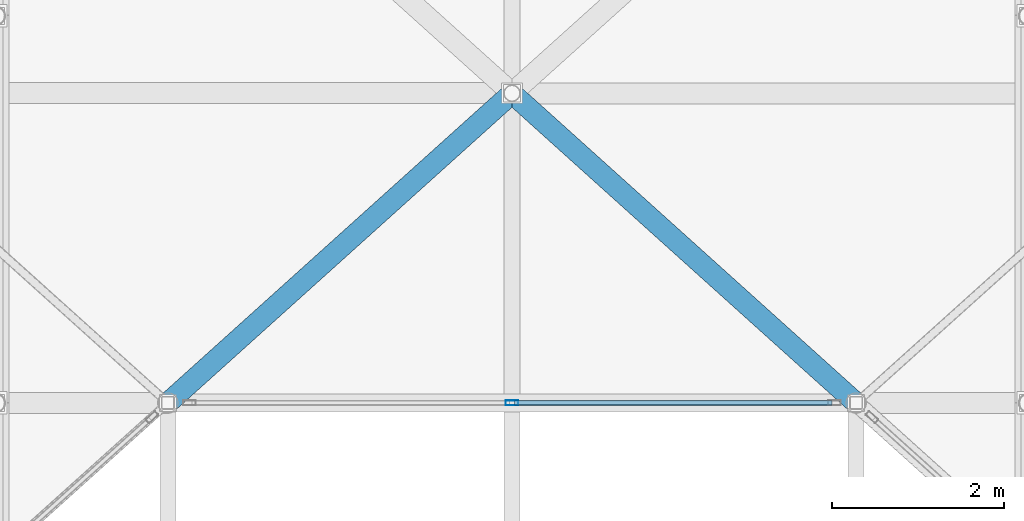
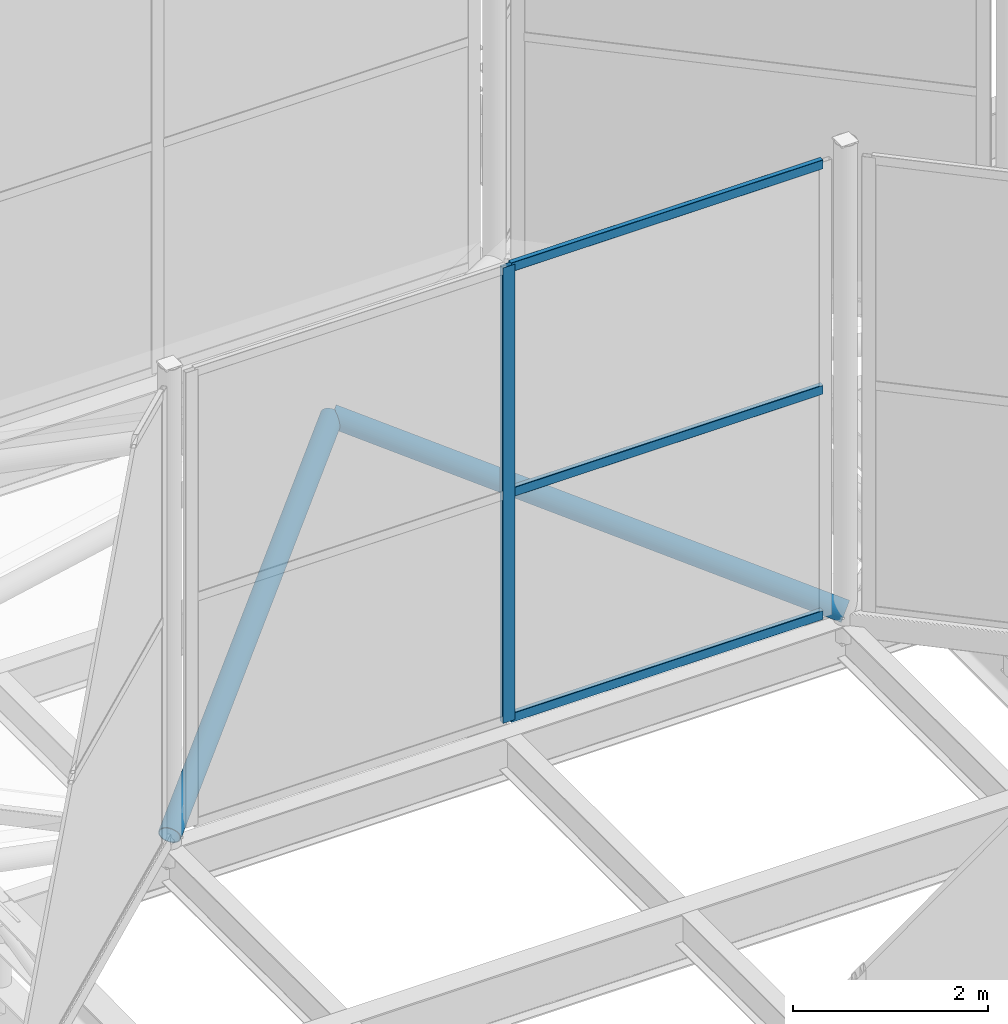
# One storey, part 64 of 239: 6 members, 1 element without a shape of its own.
"""IFC4 building model written with IfcOpenShell, lengths in metres."""

from ifc_helpers import new_model, si_unit, direction, frame, origin, origin_2d, place, context, subcontext, project, spatial, hollow_rectangle, hollow_circle, extrude, material, layer, layer_set, material_profile, profile_set, type_object, element, aggregate, save


model = new_model("IFC4")

# Units and contexts
model_context = context("Model", 3, precision=1e-05, world=origin(), true_north=direction((0.0, 1.0)))
body_context = subcontext(model_context, "Body", "Model", "MODEL_VIEW")
ifc_project = project(units=[si_unit("LENGTHUNIT", "METRE"), si_unit("AREAUNIT", "SQUARE_METRE"), si_unit("VOLUMEUNIT", "CUBIC_METRE"), si_unit("PLANEANGLEUNIT", "RADIAN"), si_unit("MASSUNIT", "GRAM", prefix="KILO")], contexts=[model_context])

# Site, building, storey
site_placement = place(None, origin())
site = spatial("IfcSite", under=ifc_project, at=site_placement, CompositionType="ELEMENT")
building_placement = place(site_placement, origin())
building = spatial("IfcBuilding", under=site, at=building_placement, Name="Dunvalen Ferry Terminal", CompositionType="ELEMENT")
storey_placement = place(building_placement, frame((0.0, 0.0, 9.840087890625)))
storey = spatial("IfcBuildingStorey", under=building, at=storey_placement, Name="L02", CompositionType="ELEMENT", Elevation=9.840087890625)

# Curtain wall, members
ifc_material_1 = material(Name="Anodised marine aluminium and solar-control glazing", Category="aluminium")
ifc_layer = layer(ifc_material_1, 0.179931640625, Name="Anodised marine aluminium and solar-control glazing")
ifc_layer_set = layer_set([ifc_layer], Name="Anodised marine aluminium and solar-control glazing")
curtain_wall_type = type_object("IfcCurtainWallType", Name="ENV-CW-SYS-05", PredefinedType="NOTDEFINED", material=ifc_layer_set)
curtain_wall_placement = place(storey_placement, origin())
curtain_wall = element("IfcCurtainWall", 1, at=curtain_wall_placement, inside=storey, type_object=curtain_wall_type, Name="L02 Curtain Wall CW-HEX-14-SK-5", PredefinedType="NOTDEFINED")
ifc_material_2 = material(Name="Anodised marine aluminium EN AW-6063 T6", Category="aluminium")
ifc_material_profile_1 = material_profile(ifc_material_2, hollow_rectangle(XDim=0.06005859375, YDim=0.14990234375, WallThickness=0.00341796875, InnerFilletRadius=0.00341796875, OuterFilletRadius=0.007080078125, at=origin_2d()), Name="Anodised marine aluminium EN AW-6063 T6")
ifc_profile_set_1 = profile_set([ifc_material_profile_1], Name="Anodised marine aluminium EN AW-6063 T6")
member_type_1 = type_object("IfcMemberType", Name="ENV-CW-MUL-3", PredefinedType="MULLION", material=ifc_profile_set_1)
member_1_placement = place(storey_placement, frame((30.0, 68.39990234375, 1.139892578125), z_axis=(0.0, 0.0, 1.0), x_axis=(0.0, -1.0, 0.0)))
member_1 = element("IfcMember", 2, at=member_1_placement, type_object=member_type_1, Name="CW-05 mullion 2", PredefinedType="MULLION", context=body_context, shape_type="SweptSolid", body=[
    extrude(hollow_rectangle(XDim=0.06005859375, YDim=0.14990234375, WallThickness=0.00341796875, InnerFilletRadius=0.00341796875, OuterFilletRadius=0.007080078125, at=origin_2d()), origin(), (0.0, 0.0, 1.0), 5.699951171875),
])
ifc_material_profile_2 = material_profile(ifc_material_2, hollow_rectangle(XDim=0.06005859375, YDim=0.114990234375, WallThickness=0.0029296875, InnerFilletRadius=0.0029296875, OuterFilletRadius=0.006103515625, at=origin_2d()), Name="Anodised marine aluminium EN AW-6063 T6")
ifc_profile_set_2 = profile_set([ifc_material_profile_2], Name="Anodised marine aluminium EN AW-6063 T6")
member_type_2 = type_object("IfcMemberType", Name="ENV-CW-TRN-3", PredefinedType="USERDEFINED", material=ifc_profile_set_2)
member_2_placement = place(storey_placement, frame((33.719970703125, 68.39990234375, 1.169921875), z_axis=(-1.0, 0.0, 0.0), x_axis=(0.0, -1.0, 0.0)))
member_2 = element("IfcMember", 3, at=member_2_placement, type_object=member_type_2, Name="CW-05 transom 1.1", ObjectType="TRANSOM", PredefinedType="USERDEFINED", context=body_context, shape_type="SweptSolid", body=[
    extrude(hollow_rectangle(XDim=0.06005859375, YDim=0.114990234375, WallThickness=0.0029296875, InnerFilletRadius=0.0029296875, OuterFilletRadius=0.006103515625, at=origin_2d()), origin(), (0.0, 0.0, 1.0), 3.68994140625),
])
member_3_placement = place(storey_placement, frame((33.719970703125, 68.39990234375, 3.989990234375), z_axis=(-1.0, 0.0, 0.0), x_axis=(0.0, -1.0, 0.0)))
member_3 = element("IfcMember", 4, at=member_3_placement, type_object=member_type_2, Name="CW-05 transom 1.2", ObjectType="TRANSOM", PredefinedType="USERDEFINED", context=body_context, shape_type="SweptSolid", body=[
    extrude(hollow_rectangle(XDim=0.06005859375, YDim=0.114990234375, WallThickness=0.0029296875, InnerFilletRadius=0.0029296875, OuterFilletRadius=0.006103515625, at=origin_2d()), origin(), (0.0, 0.0, 1.0), 3.68994140625),
])
member_4_placement = place(storey_placement, frame((33.719970703125, 68.39990234375, 6.809814453125), z_axis=(-1.0, 0.0, 0.0), x_axis=(0.0, -1.0, 0.0)))
member_4 = element("IfcMember", 5, at=member_4_placement, type_object=member_type_2, Name="CW-05 transom 1.3", ObjectType="TRANSOM", PredefinedType="USERDEFINED", context=body_context, shape_type="SweptSolid", body=[
    extrude(hollow_rectangle(XDim=0.06005859375, YDim=0.114990234375, WallThickness=0.0029296875, InnerFilletRadius=0.0029296875, OuterFilletRadius=0.006103515625, at=origin_2d()), origin(), (0.0, 0.0, 1.0), 3.68994140625),
])
aggregate(curtain_wall, [member_1, member_2, member_3, member_4])

# Members
ifc_material_3 = material(Name="Steel S355", Category="steel")
ifc_material_profile_3 = material_profile(ifc_material_3, hollow_circle(Radius=0.122314453125, WallThickness=0.010009765625, at=origin_2d()), Name="Steel S355")
ifc_profile_set_3 = profile_set([ifc_material_profile_3], Name="Steel S355")
member_type_3 = type_object("IfcMemberType", Name="STR-MB-CHS244", PredefinedType="STRUT", material=ifc_profile_set_3)
for number, where, z_axis, x_axis, name in (
    (6, (26.0, 68.39990234375, 1.099853515625), (0.710074680578, 0.639084548328, 0.295575520114), (-0.668974757313, 0.743285123004, 0.0), "HEX-15 Pyramid Hip Rafter 2"),
    (7, (34.0, 68.39990234375, 1.099853515625), (-0.710074680578, 0.639084548328, 0.295575520114), (-0.668974757313, -0.743285123004, 0.0), "HEX-15 Pyramid Hip Rafter 3"),
):
    element("IfcMember", number, at=place(storey_placement, frame(where, z_axis=z_axis, x_axis=x_axis)), inside=storey, type_object=member_type_3, Name=name, PredefinedType="STRUT", context=body_context, shape_type="SweptSolid", body=[
        extrude(hollow_circle(Radius=0.122314453125, WallThickness=0.010009765625, at=origin_2d()), origin(), (0.0, 0.0, 1.0), 5.63330078125),
    ])

save(model, "model.ifc")
